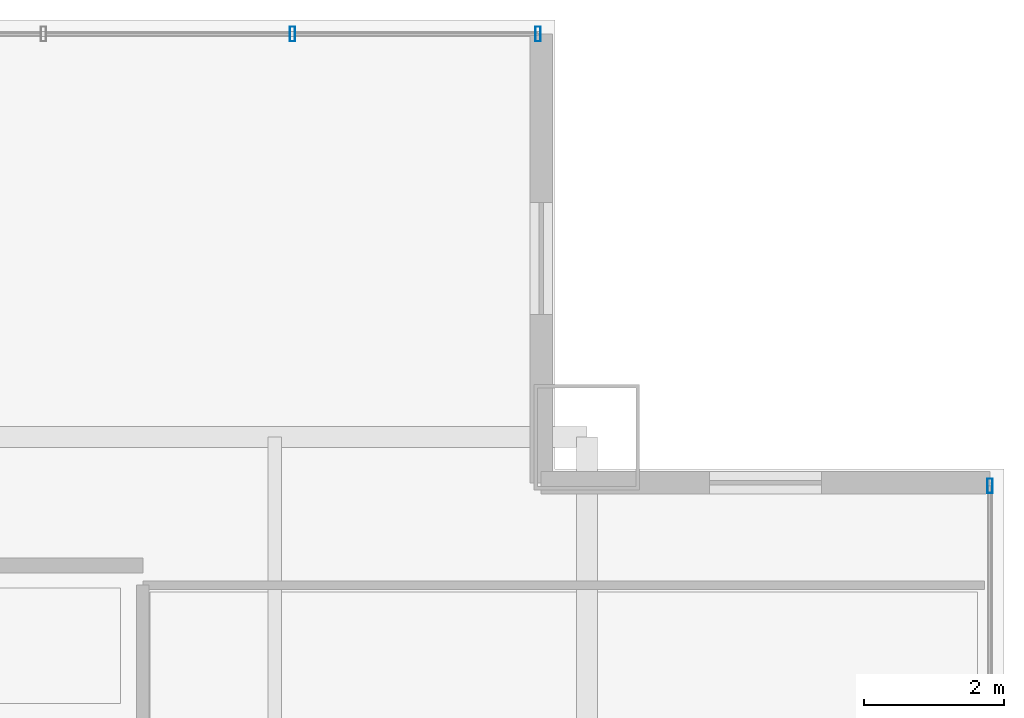
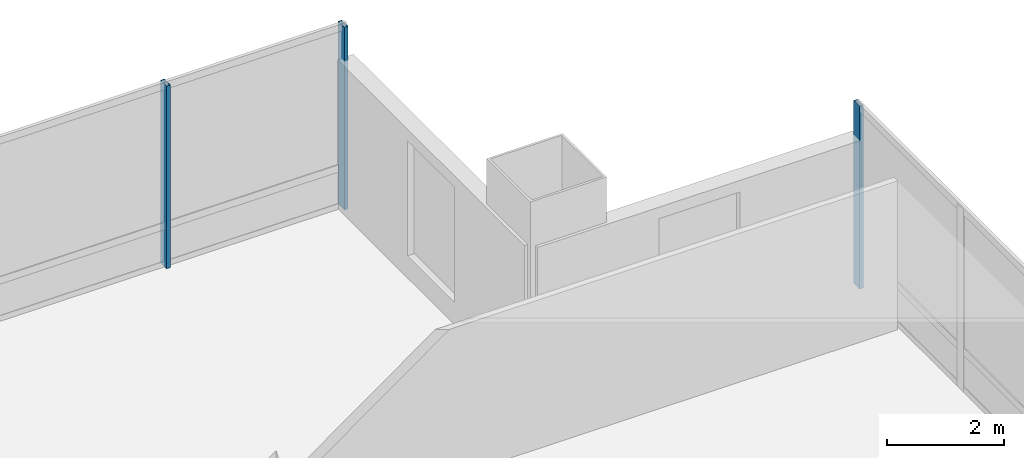
# One storey, part 25 of 34: 3 members, 2 elements without a shape of their own.
"""IFC4 building model written with IfcOpenShell, lengths in metres."""

from ifc_helpers import new_model, si_unit, direction, frame, origin, origin_2d, place, context, subcontext, project, spatial, hollow_rectangle, extrude, material, material_profile, profile_set, type_object, element, aggregate, save


model = new_model("IFC4")

# Units and contexts
model_context = context("Model", 3, precision=1e-05, world=origin(), true_north=direction((0.0, 1.0)))
body_context = subcontext(model_context, "Body", "Model", "MODEL_VIEW")
ifc_project = project(units=[si_unit("LENGTHUNIT", "METRE"), si_unit("AREAUNIT", "SQUARE_METRE"), si_unit("VOLUMEUNIT", "CUBIC_METRE"), si_unit("PLANEANGLEUNIT", "RADIAN"), si_unit("MASSUNIT", "GRAM", prefix="KILO")], contexts=[model_context])

# Site, building, storey
site_placement = place(None, origin())
site = spatial("IfcSite", under=ifc_project, at=site_placement, CompositionType="ELEMENT")
building_placement = place(site_placement, origin())
building = spatial("IfcBuilding", under=site, at=building_placement, Name="Punatoya Terracotta Tower", CompositionType="ELEMENT")
storey_placement = place(building_placement, frame((0.0, 0.0, 117.300048828125)))
storey = spatial("IfcBuildingStorey", under=building, at=storey_placement, Name="L27", CompositionType="ELEMENT", Elevation=117.300048828125)

# Curtain wall, member
ifc_material_1 = material(Name="Aluminium 6063-T6 + Double Low-E Glass", Category="aluminium")
curtain_wall_type = type_object("IfcCurtainWallType", Name="CW-M1", PredefinedType="NOTDEFINED", material=ifc_material_1)
curtain_wall_1_placement = place(storey_placement, origin())
curtain_wall_1 = element("IfcCurtainWall", 1, at=curtain_wall_1_placement, inside=storey, type_object=curtain_wall_type, Name="L27 Curtain Wall CW-L27-E05-1", PredefinedType="NOTDEFINED")
ifc_material_2 = material(Name="Aluminium 6063-T6", Category="aluminium")
ifc_material_profile = material_profile(ifc_material_2, hollow_rectangle(XDim=0.074951171875, YDim=0.2099609375, WallThickness=0.00439453125, at=origin_2d()))
ifc_profile_set = profile_set([ifc_material_profile], Name="Aluminium 6063-T6")
member_type = type_object("IfcMemberType", Name="CW-MUL-M1", PredefinedType="MULLION", material=ifc_profile_set)
member_1_placement = place(storey_placement, frame((24.85009765625, 16.804931640625, 0.0), z_axis=(0.0, 0.0, 1.0), x_axis=(1.0, 0.0, 0.0)))
member_1 = element("IfcMember", 2, at=member_1_placement, type_object=member_type, Name="CW-L27-E05-1 Mullion 09", PredefinedType="MULLION", context=body_context, shape_type="SweptSolid", body=[
    extrude(hollow_rectangle(XDim=0.074951171875, YDim=0.2099609375, WallThickness=0.00439453125, at=origin_2d()), origin(), (0.0, 0.0, 1.0), 3.81005859375),
])
aggregate(curtain_wall_1, [member_1])

# Curtain wall, members
curtain_wall_2_placement = place(storey_placement, origin())
curtain_wall_2 = element("IfcCurtainWall", 3, at=curtain_wall_2_placement, inside=storey, type_object=curtain_wall_type, Name="L27 Curtain Wall CW-L27-N08-1", PredefinedType="NOTDEFINED")
member_2_placement = place(storey_placement, frame((18.405029296875, 23.25, 0.0), z_axis=(0.0, 0.0, 1.0), x_axis=(1.0, 0.0, 0.0)))
member_2 = element("IfcMember", 4, at=member_2_placement, type_object=member_type, Name="CW-L27-N08-1 Mullion 00", PredefinedType="MULLION", context=body_context, shape_type="SweptSolid", body=[
    extrude(hollow_rectangle(XDim=0.074951171875, YDim=0.2099609375, WallThickness=0.00439453125, at=origin_2d()), origin(), (0.0, 0.0, 1.0), 3.81005859375),
])
member_3_placement = place(storey_placement, frame((14.9013671875, 23.25, 0.0), z_axis=(0.0, 0.0, 1.0), x_axis=(1.0, 0.0, 0.0)))
member_3 = element("IfcMember", 5, at=member_3_placement, type_object=member_type, Name="CW-L27-N08-1 Mullion 01", PredefinedType="MULLION", context=body_context, shape_type="SweptSolid", body=[
    extrude(hollow_rectangle(XDim=0.074951171875, YDim=0.2099609375, WallThickness=0.00439453125, at=origin_2d()), origin(), (0.0, 0.0, 1.0), 3.81005859375),
])
aggregate(curtain_wall_2, [member_2, member_3])

save(model, "model.ifc")
